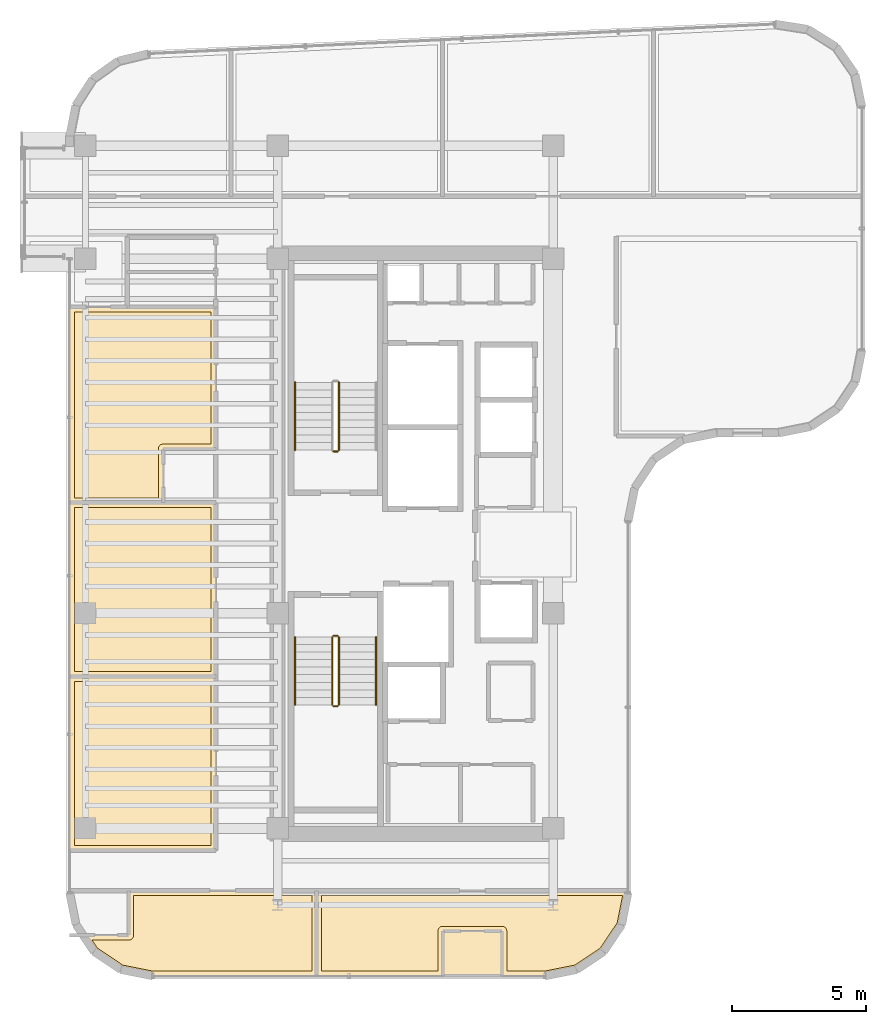
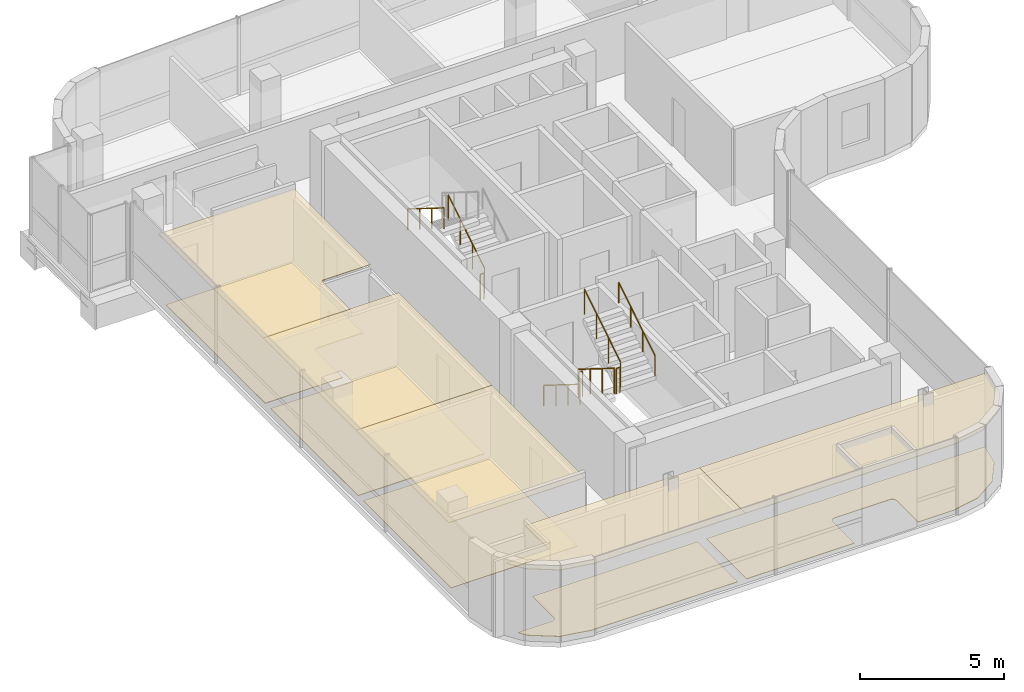
# One storey, part 19 of 21: 10 coverings, 9 railings.
"""IFC4 building model written with IfcOpenShell, lengths in metres."""

from ifc_helpers import new_model, si_unit, direction, frame, origin, origin_2d, place, context, subcontext, project, spatial, polyline, circle, outline, extrude, material, layer, layer_set, type_object, element, save


model = new_model("IFC4")

# Units and contexts
model_context = context("Model", 3, precision=1e-05, world=origin(), true_north=direction((0.0, 1.0)))
body_context = subcontext(model_context, "Body", "Model", "MODEL_VIEW")
ifc_project = project(units=[si_unit("LENGTHUNIT", "METRE"), si_unit("AREAUNIT", "SQUARE_METRE"), si_unit("VOLUMEUNIT", "CUBIC_METRE"), si_unit("PLANEANGLEUNIT", "RADIAN"), si_unit("MASSUNIT", "GRAM", prefix="KILO")], contexts=[model_context])

# Site, building, storey
site_placement = place(None, origin())
site = spatial("IfcSite", under=ifc_project, at=site_placement, CompositionType="ELEMENT")
building_placement = place(site_placement, origin())
building = spatial("IfcBuilding", under=site, at=building_placement, Name="Valdorenza Pilgrim Sanctuary Tower", CompositionType="ELEMENT")
storey_placement = place(building_placement, frame((0.0, 0.0, 258.0)))
storey = spatial("IfcBuildingStorey", under=building, at=storey_placement, Name="L67", CompositionType="ELEMENT", Elevation=258.0)

# Coverings
ifc_material_1 = material(Name="Micro-perforated acoustic mineral ceiling tile", Category="gypsum")
ifc_layer_1 = layer(ifc_material_1, 0.02490234375, Name="Micro-perforated acoustic mineral ceiling tile")
ifc_layer_set_1 = layer_set([ifc_layer_1], Name="Micro-perforated acoustic mineral ceiling tile")
covering_type_1 = type_object("IfcCoveringType", Name="COV-CLG-ACU", PredefinedType="CEILING", material=ifc_layer_set_1)
covering_1_placement = place(storey_placement, frame((0.0, 0.0, 2.9599609375)))
element("IfcCovering", 1, at=covering_1_placement, inside=storey, type_object=covering_type_1, Name="L67 Pilgrim Scholar Office L67-H1 Acoustic Ceiling", PredefinedType="CEILING", context=body_context, shape_type="SweptSolid", body=[
    extrude(outline(polyline([(-24.93505859375, -11.419921875), (-24.93505859375, -11.42138671875), (-24.935302734375, -11.4228515625), (-24.935546875, -11.42431640625), (-24.93603515625, -11.42578125), (-24.936767578125, -11.427001953125), (-24.9375, -11.42822265625), (-24.9384765625, -11.429443359375), (-24.939453125, -11.4306640625), (-24.9404296875, -11.431640625), (-24.941650390625, -11.4326171875), (-24.94287109375, -11.43310546875), (-24.9443359375, -11.433837890625), (-24.945556640625, -11.434326171875), (-24.947021484375, -11.434814453125), (-24.948486328125, -11.434814453125), (-24.949951171875, -11.43505859375), (-30.389892578125, -11.43505859375), (-30.3916015625, -11.434814453125), (-30.392822265625, -11.434814453125), (-30.394287109375, -11.434326171875), (-30.395751953125, -11.433837890625), (-30.397216796875, -11.43310546875), (-30.398193359375, -11.4326171875), (-30.3994140625, -11.431640625), (-30.400634765625, -11.4306640625), (-30.401611328125, -11.429443359375), (-30.402587890625, -11.42822265625), (-30.4033203125, -11.427001953125), (-30.40380859375, -11.42578125), (-30.404296875, -11.42431640625), (-30.40478515625, -11.4228515625), (-30.40478515625, -11.42138671875), (-30.405029296875, -11.419921875), (-30.405029296875, -4.949462890625), (-30.40478515625, -4.947998046875), (-30.40478515625, -4.946533203125), (-30.404296875, -4.945068359375), (-30.40380859375, -4.94384765625), (-30.4033203125, -4.9423828125), (-30.402587890625, -4.941162109375), (-30.401611328125, -4.93994140625), (-30.400634765625, -4.93896484375), (-30.3994140625, -4.93798828125), (-30.398193359375, -4.93701171875), (-30.397216796875, -4.936279296875), (-30.395751953125, -4.935546875), (-30.394287109375, -4.93505859375), (-30.392822265625, -4.934814453125), (-30.3916015625, -4.9345703125), (-30.389892578125, -4.9345703125), (-24.949951171875, -4.9345703125), (-24.948486328125, -4.9345703125), (-24.947021484375, -4.934814453125), (-24.945556640625, -4.93505859375), (-24.9443359375, -4.935546875), (-24.94287109375, -4.936279296875), (-24.941650390625, -4.93701171875), (-24.9404296875, -4.93798828125), (-24.939453125, -4.93896484375), (-24.9384765625, -4.93994140625), (-24.9375, -4.941162109375), (-24.936767578125, -4.9423828125), (-24.93603515625, -4.94384765625), (-24.935546875, -4.945068359375), (-24.935302734375, -4.946533203125), (-24.93505859375, -4.947998046875), (-24.93505859375, -4.949462890625), (-24.93505859375, -11.419921875)])), origin(), (0.0, 0.0, 1.0), 0.025146484375),
])
covering_2_placement = place(storey_placement, frame((0.0, 0.0, 2.9599609375)))
element("IfcCovering", 2, at=covering_2_placement, inside=storey, type_object=covering_type_1, Name="L67 Pilgrim Scholar Office L67-H2 Acoustic Ceiling", PredefinedType="CEILING", context=body_context, shape_type="SweptSolid", body=[
    extrude(outline(polyline([(-24.93505859375, -4.947509765625), (-24.93505859375, -4.948974609375), (-24.935302734375, -4.950439453125), (-24.935546875, -4.951904296875), (-24.93603515625, -4.953125), (-24.936767578125, -4.95458984375), (-24.9375, -4.955810546875), (-24.9384765625, -4.95703125), (-24.939453125, -4.9580078125), (-24.9404296875, -4.958984375), (-24.941650390625, -4.9599609375), (-24.94287109375, -4.960693359375), (-24.9443359375, -4.96142578125), (-24.945556640625, -4.9619140625), (-24.947021484375, -4.962158203125), (-24.948486328125, -4.96240234375), (-24.949951171875, -4.96240234375), (-30.389892578125, -4.96240234375), (-30.3916015625, -4.96240234375), (-30.392822265625, -4.962158203125), (-30.394287109375, -4.9619140625), (-30.395751953125, -4.96142578125), (-30.397216796875, -4.960693359375), (-30.398193359375, -4.9599609375), (-30.3994140625, -4.958984375), (-30.400634765625, -4.9580078125), (-30.401611328125, -4.95703125), (-30.402587890625, -4.955810546875), (-30.4033203125, -4.95458984375), (-30.40380859375, -4.953125), (-30.404296875, -4.951904296875), (-30.40478515625, -4.950439453125), (-30.40478515625, -4.948974609375), (-30.405029296875, -4.947509765625), (-30.405029296875, 1.52099609375), (-30.40478515625, 1.5224609375), (-30.40478515625, 1.52392578125), (-30.404296875, 1.525390625), (-30.40380859375, 1.526611328125), (-30.4033203125, 1.528076171875), (-30.402587890625, 1.529296875), (-30.401611328125, 1.530517578125), (-30.400634765625, 1.531494140625), (-30.3994140625, 1.53271484375), (-30.398193359375, 1.533447265625), (-30.397216796875, 1.5341796875), (-30.395751953125, 1.534912109375), (-30.394287109375, 1.535400390625), (-30.392822265625, 1.53564453125), (-30.3916015625, 1.535888671875), (-30.389892578125, 1.535888671875), (-24.949951171875, 1.535888671875), (-24.948486328125, 1.535888671875), (-24.947021484375, 1.53564453125), (-24.945556640625, 1.535400390625), (-24.9443359375, 1.534912109375), (-24.94287109375, 1.5341796875), (-24.941650390625, 1.533447265625), (-24.9404296875, 1.53271484375), (-24.939453125, 1.531494140625), (-24.9384765625, 1.530517578125), (-24.9375, 1.529296875), (-24.936767578125, 1.528076171875), (-24.93603515625, 1.526611328125), (-24.935546875, 1.525390625), (-24.935302734375, 1.52392578125), (-24.93505859375, 1.5224609375), (-24.93505859375, 1.52099609375), (-24.93505859375, -4.947509765625)])), origin(), (0.0, 0.0, 1.0), 0.025146484375),
])
covering_3_placement = place(storey_placement, frame((0.0, 0.0, 2.9599609375)))
element("IfcCovering", 3, at=covering_3_placement, inside=storey, type_object=covering_type_1, Name="L67 Sanctuary Guest Room L67-HW1 Acoustic Ceiling", PredefinedType="CEILING", context=body_context, shape_type="SweptSolid", body=[
    extrude(outline(polyline([(-28.253662109375, 8.81298828125), (-28.253173828125, 8.81298828125), (-28.25146484375, 8.813232421875), (-28.25, 8.813232421875), (-28.24853515625, 8.81298828125), (-28.248291015625, 8.81298828125), (-24.949951171875, 8.81298828125), (-24.948486328125, 8.81298828125), (-24.947021484375, 8.812744140625), (-24.945556640625, 8.8125), (-24.9443359375, 8.81201171875), (-24.94287109375, 8.811279296875), (-24.941650390625, 8.810546875), (-24.9404296875, 8.8095703125), (-24.939453125, 8.80859375), (-24.9384765625, 8.8076171875), (-24.9375, 8.806396484375), (-24.936767578125, 8.80517578125), (-24.93603515625, 8.8037109375), (-24.935546875, 8.802490234375), (-24.935302734375, 8.80078125), (-24.93505859375, 8.799560546875), (-24.93505859375, 8.798095703125), (-24.93505859375, 3.52294921875), (-24.93505859375, 3.521484375), (-24.935302734375, 3.52001953125), (-24.935546875, 3.5185546875), (-24.93603515625, 3.517333984375), (-24.936767578125, 3.515869140625), (-24.9375, 3.5146484375), (-24.9384765625, 3.513427734375), (-24.939453125, 3.512451171875), (-24.9404296875, 3.511474609375), (-24.941650390625, 3.510498046875), (-24.94287109375, 3.509765625), (-24.9443359375, 3.509033203125), (-24.945556640625, 3.508544921875), (-24.947021484375, 3.50830078125), (-24.948486328125, 3.508056640625), (-24.949951171875, 3.508056640625), (-26.89501953125, 3.508056640625), (-26.89501953125, 1.52294921875), (-26.89501953125, 1.521484375), (-26.895263671875, 1.52001953125), (-26.8955078125, 1.5185546875), (-26.89599609375, 1.517333984375), (-26.896728515625, 1.515869140625), (-26.8974609375, 1.5146484375), (-26.8984375, 1.513427734375), (-26.8994140625, 1.512451171875), (-26.900390625, 1.511474609375), (-26.901611328125, 1.510498046875), (-26.90283203125, 1.509765625), (-26.904296875, 1.509033203125), (-26.905517578125, 1.508544921875), (-26.906982421875, 1.50830078125), (-26.908447265625, 1.508056640625), (-26.909912109375, 1.508056640625), (-30.389892578125, 1.508056640625), (-30.3916015625, 1.508056640625), (-30.392822265625, 1.50830078125), (-30.394287109375, 1.508544921875), (-30.395751953125, 1.509033203125), (-30.397216796875, 1.509765625), (-30.398193359375, 1.510498046875), (-30.3994140625, 1.511474609375), (-30.400634765625, 1.512451171875), (-30.401611328125, 1.513427734375), (-30.402587890625, 1.5146484375), (-30.4033203125, 1.515869140625), (-30.40380859375, 1.517333984375), (-30.404296875, 1.5185546875), (-30.40478515625, 1.52001953125), (-30.40478515625, 1.521484375), (-30.405029296875, 1.52294921875), (-30.405029296875, 8.798095703125), (-30.40478515625, 8.799560546875), (-30.40478515625, 8.80078125), (-30.404296875, 8.802490234375), (-30.40380859375, 8.8037109375), (-30.4033203125, 8.80517578125), (-30.402587890625, 8.806396484375), (-30.401611328125, 8.8076171875), (-30.400634765625, 8.80859375), (-30.3994140625, 8.8095703125), (-30.398193359375, 8.810546875), (-30.397216796875, 8.811279296875), (-30.395751953125, 8.81201171875), (-30.394287109375, 8.8125), (-30.392822265625, 8.812744140625), (-30.3916015625, 8.81298828125), (-30.389892578125, 8.81298828125), (-28.253662109375, 8.81298828125)])), origin(), (0.0, 0.0, 1.0), 0.025146484375),
])
covering_4_placement = place(storey_placement, frame((0.0, 0.0, 2.9599609375)))
element("IfcCovering", 4, at=covering_4_placement, inside=storey, type_object=covering_type_1, Name="L67 South Guest Room L67-S1 Acoustic Ceiling", PredefinedType="CEILING", context=body_context, shape_type="SweptSolid", body=[
    extrude(outline(polyline([(-28.202880859375, -14.556884765625), (-28.202880859375, -12.919921875), (-28.202880859375, -12.91845703125), (-28.20263671875, -12.9169921875), (-28.202392578125, -12.91552734375), (-28.201904296875, -12.914306640625), (-28.201171875, -12.912841796875), (-28.200439453125, -12.91162109375), (-28.19970703125, -12.910400390625), (-28.198486328125, -12.909423828125), (-28.197509765625, -12.908447265625), (-28.1962890625, -12.907470703125), (-28.195068359375, -12.90673828125), (-28.193603515625, -12.906005859375), (-28.1923828125, -12.905517578125), (-28.19091796875, -12.9052734375), (-28.189453125, -12.905029296875), (-28.18798828125, -12.905029296875), (-21.199951171875, -12.905029296875), (-21.198486328125, -12.905029296875), (-21.197021484375, -12.9052734375), (-21.195556640625, -12.905517578125), (-21.1943359375, -12.906005859375), (-21.19287109375, -12.90673828125), (-21.191650390625, -12.907470703125), (-21.1904296875, -12.908447265625), (-21.189453125, -12.909423828125), (-21.1884765625, -12.910400390625), (-21.1875, -12.91162109375), (-21.186767578125, -12.912841796875), (-21.18603515625, -12.914306640625), (-21.185546875, -12.91552734375), (-21.185302734375, -12.9169921875), (-21.18505859375, -12.91845703125), (-21.18505859375, -12.919921875), (-21.18505859375, -16.090087890625), (-21.18505859375, -16.091552734375), (-21.185302734375, -16.093017578125), (-21.185546875, -16.094482421875), (-21.18603515625, -16.095703125), (-21.186767578125, -16.09716796875), (-21.1875, -16.098388671875), (-21.1884765625, -16.099609375), (-21.189453125, -16.1005859375), (-21.1904296875, -16.1015625), (-21.191650390625, -16.1025390625), (-21.19287109375, -16.103271484375), (-21.1943359375, -16.10400390625), (-21.195556640625, -16.1044921875), (-21.197021484375, -16.104736328125), (-21.198486328125, -16.10498046875), (-21.199951171875, -16.10498046875), (-27.289306640625, -16.10498046875), (-27.29052734375, -16.10498046875), (-27.2919921875, -16.104736328125), (-28.484619140625, -15.867431640625), (-28.486083984375, -15.8671875), (-28.4873046875, -15.86669921875), (-28.48876953125, -15.865966796875), (-28.489990234375, -15.865234375), (-29.49169921875, -15.19580078125), (-29.492919921875, -15.195068359375), (-29.493896484375, -15.194091796875), (-29.4951171875, -15.19287109375), (-29.495849609375, -15.191650390625), (-29.904296875, -14.580322265625), (-29.9052734375, -14.5791015625), (-29.90576171875, -14.57763671875), (-29.90625, -14.576416015625), (-29.90673828125, -14.574951171875), (-29.906982421875, -14.573486328125), (-29.906982421875, -14.572021484375), (-29.906982421875, -14.570556640625), (-29.90673828125, -14.569091796875), (-29.90625, -14.567626953125), (-29.90576171875, -14.56640625), (-29.9052734375, -14.56494140625), (-29.904296875, -14.563720703125), (-29.903564453125, -14.5625), (-29.902587890625, -14.561279296875), (-29.901611328125, -14.560302734375), (-29.900390625, -14.5595703125), (-29.89892578125, -14.558837890625), (-29.897705078125, -14.55810546875), (-29.896240234375, -14.5576171875), (-29.89501953125, -14.557373046875), (-29.893310546875, -14.55712890625), (-29.89208984375, -14.556884765625), (-28.202880859375, -14.556884765625)])), origin(), (0.0, 0.0, 1.0), 0.025146484375),
])
covering_5_placement = place(storey_placement, frame((0.0, 0.0, 2.9599609375)))
element("IfcCovering", 5, at=covering_5_placement, inside=storey, type_object=covering_type_1, Name="L67 South Guest Room L67-S2 Acoustic Ceiling", PredefinedType="CEILING", context=body_context, shape_type="SweptSolid", body=[
    extrude(outline(polyline([(-9.610107421875, -12.905029296875), (-9.6083984375, -12.905029296875), (-9.607177734375, -12.9052734375), (-9.605712890625, -12.905517578125), (-9.604248046875, -12.906005859375), (-9.602783203125, -12.90673828125), (-9.601806640625, -12.907470703125), (-9.6005859375, -12.908447265625), (-9.599365234375, -12.909423828125), (-9.598388671875, -12.910400390625), (-9.597412109375, -12.91162109375), (-9.5966796875, -12.912841796875), (-9.59619140625, -12.914306640625), (-9.595703125, -12.91552734375), (-9.59521484375, -12.9169921875), (-9.59521484375, -12.91845703125), (-9.594970703125, -12.919921875), (-9.594970703125, -12.9892578125), (-9.59521484375, -12.990478515625), (-9.59521484375, -12.9921875), (-9.83251953125, -14.1845703125), (-9.8330078125, -14.18603515625), (-9.83349609375, -14.1875), (-9.833984375, -14.188720703125), (-9.834716796875, -14.18994140625), (-10.504150390625, -15.191650390625), (-10.5048828125, -15.19287109375), (-10.506103515625, -15.194091796875), (-10.507080078125, -15.195068359375), (-10.50830078125, -15.19580078125), (-11.510009765625, -15.865234375), (-11.51123046875, -15.865966796875), (-11.5126953125, -15.86669921875), (-11.513916015625, -15.8671875), (-11.515380859375, -15.867431640625), (-12.7080078125, -16.104736328125), (-12.70947265625, -16.10498046875), (-12.710693359375, -16.10498046875), (-21.197998046875, -16.10498046875), (-21.199462890625, -16.10498046875), (-21.200927734375, -16.104736328125), (-21.202392578125, -16.1044921875), (-21.20361328125, -16.10400390625), (-21.205078125, -16.103271484375), (-21.206298828125, -16.1025390625), (-21.20751953125, -16.1015625), (-21.20849609375, -16.1005859375), (-21.209716796875, -16.099609375), (-21.21044921875, -16.098388671875), (-21.211181640625, -16.09716796875), (-21.2119140625, -16.095703125), (-21.21240234375, -16.094482421875), (-21.212646484375, -16.093017578125), (-21.212890625, -16.091552734375), (-21.212890625, -16.090087890625), (-21.212890625, -12.919921875), (-21.212890625, -12.91845703125), (-21.212646484375, -12.9169921875), (-21.21240234375, -12.91552734375), (-21.2119140625, -12.914306640625), (-21.211181640625, -12.912841796875), (-21.21044921875, -12.91162109375), (-21.209716796875, -12.910400390625), (-21.20849609375, -12.909423828125), (-21.20751953125, -12.908447265625), (-21.206298828125, -12.907470703125), (-21.205078125, -12.90673828125), (-21.20361328125, -12.906005859375), (-21.202392578125, -12.905517578125), (-21.200927734375, -12.9052734375), (-21.199462890625, -12.905029296875), (-21.197998046875, -12.905029296875), (-9.610107421875, -12.905029296875)])), origin(), (0.0, 0.0, 1.0), 0.025146484375),
])
ifc_material_2 = material(Name="Engineered European oak timber flooring", Category="wood")
ifc_layer_2 = layer(ifc_material_2, 0.02197265625, Name="Engineered European oak timber flooring")
ifc_layer_set_2 = layer_set([ifc_layer_2], Name="Engineered European oak timber flooring")
covering_type_2 = type_object("IfcCoveringType", Name="COV-FLR-OAK", PredefinedType="FLOORING", material=ifc_layer_set_2)
covering_6_placement = place(storey_placement, origin())
element("IfcCovering", 6, at=covering_6_placement, inside=storey, type_object=covering_type_2, Name="L67 Sanctuary Guest Room L67-HW1 Flooring", PredefinedType="FLOORING", context=body_context, shape_type="SweptSolid", body=[
    extrude(outline(polyline([(-28.250244140625, 8.617919921875), (-28.25, 8.617919921875), (-25.1298828125, 8.617919921875), (-25.1298828125, 3.702880859375), (-26.907958984375, 3.702880859375), (-26.916748046875, 3.702880859375), (-26.9169921875, 3.702880859375), (-26.9345703125, 3.700927734375), (-26.934814453125, 3.700927734375), (-26.9521484375, 3.697509765625), (-26.952392578125, 3.697509765625), (-26.96923828125, 3.6923828125), (-26.969482421875, 3.6923828125), (-26.985595703125, 3.685546875), (-26.98583984375, 3.685546875), (-27.00146484375, 3.67724609375), (-27.001708984375, 3.677001953125), (-27.016357421875, 3.667236328125), (-27.0166015625, 3.6669921875), (-27.030029296875, 3.656005859375), (-27.0302734375, 3.65576171875), (-27.042724609375, 3.643310546875), (-27.04296875, 3.64306640625), (-27.05419921875, 3.62939453125), (-27.05419921875, 3.62939453125), (-27.064208984375, 3.614501953125), (-27.064208984375, 3.614501953125), (-27.072509765625, 3.598876953125), (-27.072509765625, 3.5986328125), (-27.079345703125, 3.58251953125), (-27.079345703125, 3.582275390625), (-27.08447265625, 3.565185546875), (-27.084716796875, 3.565185546875), (-27.087890625, 3.5478515625), (-27.087890625, 3.547607421875), (-27.08984375, 3.530029296875), (-27.08984375, 3.52978515625), (-27.090087890625, 3.52099609375), (-27.090087890625, 1.702880859375), (-30.2099609375, 1.702880859375), (-30.2099609375, 8.617919921875), (-28.251953125, 8.617919921875), (-28.2509765625, 8.617919921875), (-28.250244140625, 8.617919921875)])), origin(), (0.0, 0.0, 1.0), 0.02490234375),
])
covering_7_placement = place(storey_placement, origin())
element("IfcCovering", 7, at=covering_7_placement, inside=storey, type_object=covering_type_2, Name="L67 South Guest Room L67-S1 Flooring", PredefinedType="FLOORING", context=body_context, shape_type="SweptSolid", body=[
    extrude(outline(polyline([(-27.271484375, -15.909912109375), (-28.411376953125, -15.68310546875), (-29.353515625, -15.0537109375), (-29.55517578125, -14.751953125), (-28.18994140625, -14.751953125), (-28.18115234375, -14.751708984375), (-28.180908203125, -14.751708984375), (-28.163330078125, -14.75), (-28.1630859375, -14.75), (-28.14599609375, -14.74658203125), (-28.145751953125, -14.74658203125), (-28.12890625, -14.741455078125), (-28.128662109375, -14.7412109375), (-28.1123046875, -14.734619140625), (-28.112060546875, -14.734619140625), (-28.096435546875, -14.726318359375), (-28.096435546875, -14.72607421875), (-28.081787109375, -14.71630859375), (-28.08154296875, -14.716064453125), (-28.06787109375, -14.704833984375), (-28.067626953125, -14.704833984375), (-28.05517578125, -14.6923828125), (-28.05517578125, -14.692138671875), (-28.0439453125, -14.678466796875), (-28.043701171875, -14.67822265625), (-28.033935546875, -14.66357421875), (-28.03369140625, -14.66357421875), (-28.025390625, -14.64794921875), (-28.025390625, -14.647705078125), (-28.018798828125, -14.63134765625), (-28.0185546875, -14.631103515625), (-28.013427734375, -14.6142578125), (-28.013427734375, -14.614013671875), (-28.010009765625, -14.5966796875), (-28.010009765625, -14.5966796875), (-28.00830078125, -14.5791015625), (-28.00830078125, -14.578857421875), (-28.008056640625, -14.570068359375), (-28.008056640625, -13.10009765625), (-21.3798828125, -13.10009765625), (-21.3798828125, -15.909912109375), (-27.271484375, -15.909912109375)])), origin(), (0.0, 0.0, 1.0), 0.02490234375),
])
covering_8_placement = place(storey_placement, origin())
element("IfcCovering", 8, at=covering_8_placement, inside=storey, type_object=covering_type_2, Name="L67 South Guest Room L67-S2 Flooring", PredefinedType="FLOORING", context=body_context, shape_type="SweptSolid", body=[
    extrude(outline(polyline([(-16.68701171875, -15.909912109375), (-21.01806640625, -15.909912109375), (-21.01806640625, -13.10009765625), (-9.815673828125, -13.10009765625), (-10.016845703125, -14.111328125), (-10.646484375, -15.0537109375), (-11.588623046875, -15.68310546875), (-12.728515625, -15.909912109375), (-14.123046875, -15.909912109375), (-14.123046875, -14.419921875), (-14.123291015625, -14.4111328125), (-14.123291015625, -14.410888671875), (-14.125, -14.393310546875), (-14.125, -14.393310546875), (-14.12841796875, -14.3759765625), (-14.12841796875, -14.375732421875), (-14.133544921875, -14.35888671875), (-14.1337890625, -14.358642578125), (-14.140380859375, -14.34228515625), (-14.140380859375, -14.342041015625), (-14.148681640625, -14.326416015625), (-14.14892578125, -14.326416015625), (-14.15869140625, -14.311767578125), (-14.158935546875, -14.3115234375), (-14.170166015625, -14.2978515625), (-14.170166015625, -14.297607421875), (-14.1826171875, -14.28515625), (-14.182861328125, -14.28515625), (-14.196533203125, -14.27392578125), (-14.19677734375, -14.273681640625), (-14.21142578125, -14.263916015625), (-14.21142578125, -14.263916015625), (-14.22705078125, -14.255615234375), (-14.227294921875, -14.25537109375), (-14.24365234375, -14.248779296875), (-14.243896484375, -14.24853515625), (-14.2607421875, -14.243408203125), (-14.260986328125, -14.243408203125), (-14.2783203125, -14.239990234375), (-14.2783203125, -14.239990234375), (-14.2958984375, -14.23828125), (-14.296142578125, -14.23828125), (-14.304931640625, -14.238037109375), (-16.5048828125, -14.238037109375), (-16.513916015625, -14.23828125), (-16.513916015625, -14.23828125), (-16.531494140625, -14.239990234375), (-16.53173828125, -14.239990234375), (-16.549072265625, -14.243408203125), (-16.54931640625, -14.243408203125), (-16.566162109375, -14.24853515625), (-16.56640625, -14.248779296875), (-16.582763671875, -14.25537109375), (-16.5830078125, -14.255615234375), (-16.598388671875, -14.263916015625), (-16.5986328125, -14.263916015625), (-16.61328125, -14.273681640625), (-16.613525390625, -14.27392578125), (-16.627197265625, -14.28515625), (-16.627197265625, -14.28515625), (-16.639892578125, -14.297607421875), (-16.639892578125, -14.2978515625), (-16.651123046875, -14.3115234375), (-16.651123046875, -14.311767578125), (-16.6611328125, -14.326416015625), (-16.6611328125, -14.326416015625), (-16.66943359375, -14.342041015625), (-16.669677734375, -14.34228515625), (-16.67626953125, -14.358642578125), (-16.676513671875, -14.35888671875), (-16.681396484375, -14.375732421875), (-16.681640625, -14.3759765625), (-16.68505859375, -14.393310546875), (-16.68505859375, -14.393310546875), (-16.686767578125, -14.410888671875), (-16.686767578125, -14.4111328125), (-16.68701171875, -14.419921875), (-16.68701171875, -15.909912109375)])), origin(), (0.0, 0.0, 1.0), 0.02490234375),
])
ifc_material_3 = material(Name="Honed travertine stone flooring", Category="masonry")
ifc_layer_3 = layer(ifc_material_3, 0.030029296875, Name="Honed travertine stone flooring")
ifc_layer_set_3 = layer_set([ifc_layer_3], Name="Honed travertine stone flooring")
covering_type_3 = type_object("IfcCoveringType", Name="COV-FLR-TRV", PredefinedType="FLOORING", material=ifc_layer_set_3)
covering_9_placement = place(storey_placement, origin())
element("IfcCovering", 9, at=covering_9_placement, inside=storey, type_object=covering_type_3, Name="L67 Pilgrim Scholar Office L67-H1 Flooring", PredefinedType="FLOORING", context=body_context, shape_type="SweptSolid", body=[
    extrude(outline(polyline([(-25.1298828125, -11.239990234375), (-30.2099609375, -11.239990234375), (-30.2099609375, -5.12939453125), (-25.1298828125, -5.12939453125), (-25.1298828125, -11.239990234375)])), origin(), (0.0, 0.0, 1.0), 0.02490234375),
])
covering_10_placement = place(storey_placement, origin())
element("IfcCovering", 10, at=covering_10_placement, inside=storey, type_object=covering_type_3, Name="L67 Pilgrim Scholar Office L67-H2 Flooring", PredefinedType="FLOORING", context=body_context, shape_type="SweptSolid", body=[
    extrude(outline(polyline([(-25.1298828125, -4.767578125), (-30.2099609375, -4.767578125), (-30.2099609375, 1.341064453125), (-25.1298828125, 1.341064453125), (-25.1298828125, -4.767578125)])), origin(), (0.0, 0.0, 1.0), 0.02490234375),
])

# Railings
ifc_material_4 = material(Name="Stainless steel Grade 316", Category="steel")
railing_type_1 = type_object("IfcRailingType", Name="RLG-GRD-1120", PredefinedType="GUARDRAIL", material=ifc_material_4)
railing_1_placement = place(storey_placement, frame((-20.3701171875, 3.47998046875, 0.175048828125)))
element("IfcRailing", 11, at=railing_1_placement, inside=storey, type_object=railing_type_1, Name="L67 ST-A1 stair guard 1", PredefinedType="GUARDRAIL", context=body_context, shape_type="SweptSolid", body=[
    extrude(circle(Radius=0.02392578125, at=origin_2d()), frame((0.0, 0.0, 1.076171875), z_axis=(0.0, 0.848007534815, 0.529984170421), x_axis=(-1.0, 0.0, 0.0)), (0.0, 0.0, 1.0), 2.9716796875),
    extrude(circle(Radius=0.02099609375, at=origin_2d()), origin(), (0.0, 0.0, 1.0), 1.052001953125),
    extrude(circle(Radius=0.02099609375, at=origin_2d()), frame((0.0, 0.840087890625, 0.52490234375)), (0.0, 0.0, 1.0), 1.052001953125),
    extrude(circle(Radius=0.02099609375, at=origin_2d()), frame((0.0, 1.679931640625, 1.050048828125)), (0.0, 0.0, 1.0), 1.052001953125),
    extrude(circle(Radius=0.02099609375, at=origin_2d()), frame((0.0, 2.52001953125, 1.574951171875)), (0.0, 0.0, 1.0), 1.052001953125),
])
railing_2_placement = place(storey_placement, frame((-20.419921875, 3.429931640625, 0.0)))
element("IfcRailing", 12, at=railing_2_placement, inside=storey, type_object=railing_type_1, Name="L67 ST-A1 stair guard 4", PredefinedType="GUARDRAIL", context=body_context, shape_type="SweptSolid", body=[
    extrude(circle(Radius=0.02392578125, at=origin_2d()), frame((0.0, 0.0, 1.076171875), z_axis=(-1.0, 0.0, 0.0), x_axis=(0.0, -1.0, 0.0)), (0.0, 0.0, 1.0), 0.150146484375),
    extrude(circle(Radius=0.02099609375, at=origin_2d()), origin(), (0.0, 0.0, 1.0), 1.052001953125),
    extrude(circle(Radius=0.02099609375, at=origin_2d()), frame((-0.150146484375, 0.0, 0.0)), (0.0, 0.0, 1.0), 1.052001953125),
])
railing_3_placement = place(storey_placement, frame((-20.6201171875, -3.47998046875, 0.175048828125)))
element("IfcRailing", 13, at=railing_3_placement, inside=storey, type_object=railing_type_1, Name="L67 ST-A2 stair guard 1", PredefinedType="GUARDRAIL", context=body_context, shape_type="SweptSolid", body=[
    extrude(circle(Radius=0.02392578125, at=origin_2d()), frame((0.0, 0.0, 1.076171875), z_axis=(0.0, -0.848007534815, 0.529984170421), x_axis=(1.0, 0.0, 0.0)), (0.0, 0.0, 1.0), 2.9716796875),
    extrude(circle(Radius=0.02099609375, at=origin_2d()), origin(), (0.0, 0.0, 1.0), 1.052001953125),
    extrude(circle(Radius=0.02099609375, at=origin_2d()), frame((0.0, -0.840087890625, 0.52490234375)), (0.0, 0.0, 1.0), 1.052001953125),
    extrude(circle(Radius=0.02099609375, at=origin_2d()), frame((0.0, -1.679931640625, 1.050048828125)), (0.0, 0.0, 1.0), 1.052001953125),
    extrude(circle(Radius=0.02099609375, at=origin_2d()), frame((0.0, -2.52001953125, 1.574951171875)), (0.0, 0.0, 1.0), 1.052001953125),
])
railing_4_placement = place(storey_placement, frame((-20.570068359375, -6.050048828125, 1.75)))
element("IfcRailing", 14, at=railing_4_placement, inside=storey, type_object=railing_type_1, Name="L67 ST-A2 stair guard 2", PredefinedType="GUARDRAIL", context=body_context, shape_type="SweptSolid", body=[
    extrude(circle(Radius=0.02392578125, at=origin_2d()), frame((0.0, 0.0, 1.076171875), z_axis=(1.0, 0.0, 0.0), x_axis=(0.0, 1.0, 0.0)), (0.0, 0.0, 1.0), 0.150146484375),
    extrude(circle(Radius=0.02099609375, at=origin_2d()), origin(), (0.0, 0.0, 1.0), 1.052001953125),
    extrude(circle(Radius=0.02099609375, at=origin_2d()), frame((0.150146484375, 0.0, 0.0)), (0.0, 0.0, 1.0), 1.052001953125),
])
railing_5_placement = place(storey_placement, frame((-20.3701171875, -6.0, 1.925048828125)))
element("IfcRailing", 15, at=railing_5_placement, inside=storey, type_object=railing_type_1, Name="L67 ST-A2 stair guard 3", PredefinedType="GUARDRAIL", context=body_context, shape_type="SweptSolid", body=[
    extrude(circle(Radius=0.02392578125, at=origin_2d()), frame((0.0, 0.0, 1.076171875), z_axis=(0.0, 0.848007534815, 0.529984170421), x_axis=(-1.0, 0.0, 0.0)), (0.0, 0.0, 1.0), 2.9716796875),
    extrude(circle(Radius=0.02099609375, at=origin_2d()), origin(), (0.0, 0.0, 1.0), 1.052001953125),
    extrude(circle(Radius=0.02099609375, at=origin_2d()), frame((0.0, 0.840087890625, 0.52490234375)), (0.0, 0.0, 1.0), 1.052001953125),
    extrude(circle(Radius=0.02099609375, at=origin_2d()), frame((0.0, 1.679931640625, 1.050048828125)), (0.0, 0.0, 1.0), 1.052001953125),
    extrude(circle(Radius=0.02099609375, at=origin_2d()), frame((0.0, 2.52001953125, 1.574951171875)), (0.0, 0.0, 1.0), 1.052001953125),
])
railing_6_placement = place(storey_placement, frame((-20.570068359375, -3.429931640625, 0.0)))
element("IfcRailing", 16, at=railing_6_placement, inside=storey, type_object=railing_type_1, Name="L67 ST-A2 stair guard 4", PredefinedType="GUARDRAIL", context=body_context, shape_type="SweptSolid", body=[
    extrude(circle(Radius=0.02392578125, at=origin_2d()), frame((0.0, 0.0, 1.076171875), z_axis=(1.0, 0.0, 0.0), x_axis=(0.0, 1.0, 0.0)), (0.0, 0.0, 1.0), 0.150146484375),
    extrude(circle(Radius=0.02099609375, at=origin_2d()), origin(), (0.0, 0.0, 1.0), 1.052001953125),
    extrude(circle(Radius=0.02099609375, at=origin_2d()), frame((0.150146484375, 0.0, 0.0)), (0.0, 0.0, 1.0), 1.052001953125),
])
ifc_material_5 = material(Name="Brushed stainless steel Grade 316", Category="steel")
railing_type_2 = type_object("IfcRailingType", Name="RLG-HND-920", PredefinedType="HANDRAIL", material=ifc_material_5)
for number, where, name in (
    (17, (-22.0, 6.0, 1.925048828125), "L67 ST-A1 stair handrail 2"),
    (18, (-22.0, -3.47998046875, 0.175048828125), "L67 ST-A2 stair handrail 1"),
):
    element("IfcRailing", number, at=place(storey_placement, frame(where)), inside=storey, type_object=railing_type_2, Name=name, PredefinedType="HANDRAIL", context=body_context, shape_type="SweptSolid", body=[
        extrude(circle(Radius=0.02392578125, at=origin_2d()), frame((0.0, 0.0, 0.8759765625), z_axis=(0.0, -0.848007534815, 0.529984170421), x_axis=(1.0, 0.0, 0.0)), (0.0, 0.0, 1.0), 2.9716796875),
        extrude(circle(Radius=0.02099609375, at=origin_2d()), origin(), (0.0, 0.0, 1.0), 0.851806640625),
        extrude(circle(Radius=0.02099609375, at=origin_2d()), frame((0.0, -0.840087890625, 0.52490234375)), (0.0, 0.0, 1.0), 0.851806640625),
        extrude(circle(Radius=0.02099609375, at=origin_2d()), frame((0.0, -1.679931640625, 1.050048828125)), (0.0, 0.0, 1.0), 0.851806640625),
        extrude(circle(Radius=0.02099609375, at=origin_2d()), frame((0.0, -2.52001953125, 1.574951171875)), (0.0, 0.0, 1.0), 0.851806640625),
    ])
railing_7_placement = place(storey_placement, frame((-18.989990234375, -6.0, 1.925048828125)))
element("IfcRailing", 19, at=railing_7_placement, inside=storey, type_object=railing_type_2, Name="L67 ST-A2 stair handrail 2", PredefinedType="HANDRAIL", context=body_context, shape_type="SweptSolid", body=[
    extrude(circle(Radius=0.02392578125, at=origin_2d()), frame((0.0, 0.0, 0.8759765625), z_axis=(0.0, 0.848007534815, 0.529984170421), x_axis=(-1.0, 0.0, 0.0)), (0.0, 0.0, 1.0), 2.9716796875),
    extrude(circle(Radius=0.02099609375, at=origin_2d()), origin(), (0.0, 0.0, 1.0), 0.851806640625),
    extrude(circle(Radius=0.02099609375, at=origin_2d()), frame((0.0, 0.840087890625, 0.52490234375)), (0.0, 0.0, 1.0), 0.851806640625),
    extrude(circle(Radius=0.02099609375, at=origin_2d()), frame((0.0, 1.679931640625, 1.050048828125)), (0.0, 0.0, 1.0), 0.851806640625),
    extrude(circle(Radius=0.02099609375, at=origin_2d()), frame((0.0, 2.52001953125, 1.574951171875)), (0.0, 0.0, 1.0), 0.851806640625),
])

save(model, "model.ifc")
